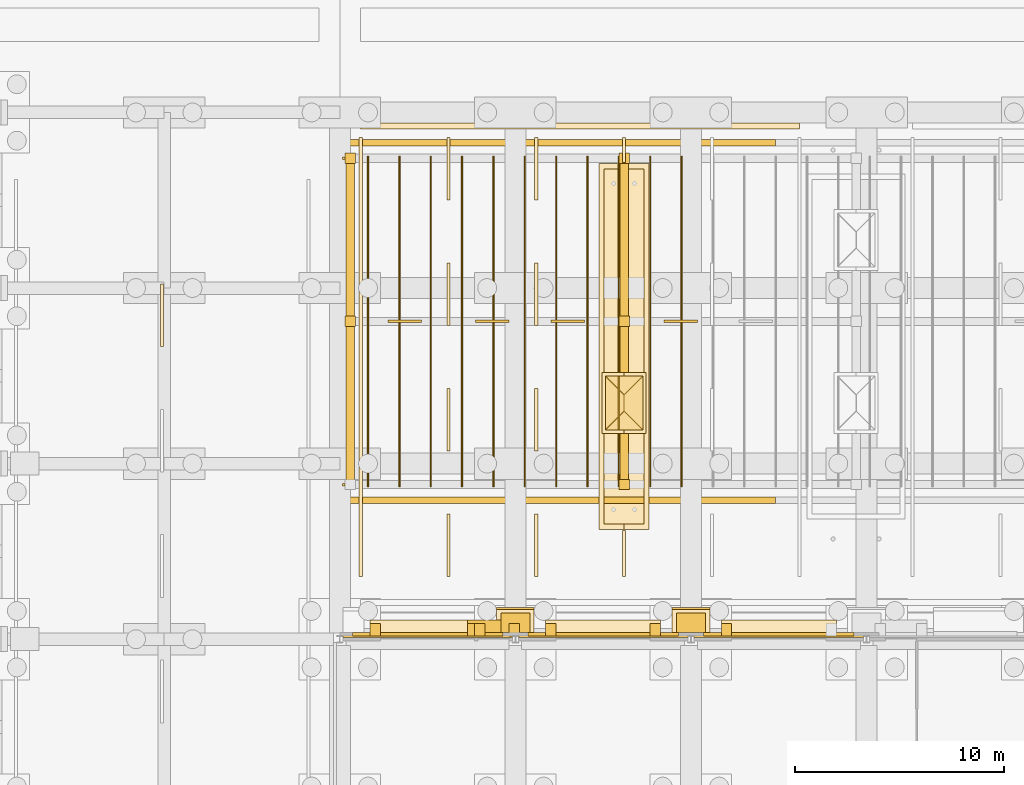
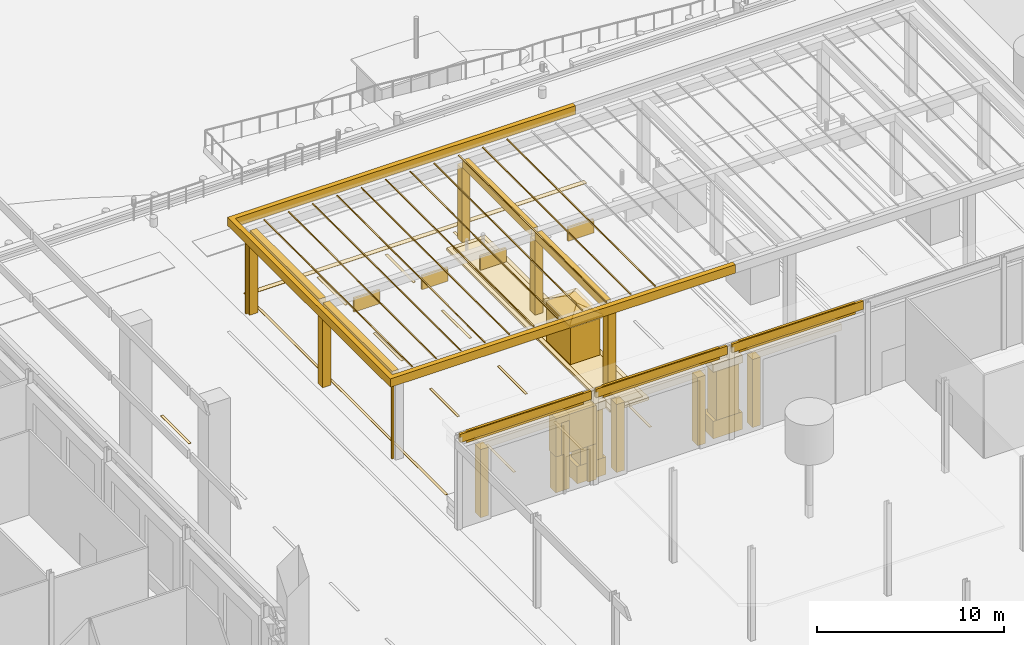
# One storey, part 168 of 222: 73 coverings.
"""IFC4 building model written with IfcOpenShell, lengths in metres."""

from ifc_helpers import new_model, si_unit, direction, frame, origin, origin_2d, place, context, subcontext, project, spatial, polyline, rectangle, outline, extrude, material, layer, layer_set, type_object, element, save


model = new_model("IFC4")

# Units and contexts
model_context = context("Model", 3, precision=1e-05, world=origin(), true_north=direction((0.0, 1.0)))
body_context = subcontext(model_context, "Body", "Model", "MODEL_VIEW")
ifc_project = project(units=[si_unit("LENGTHUNIT", "METRE"), si_unit("AREAUNIT", "SQUARE_METRE"), si_unit("VOLUMEUNIT", "CUBIC_METRE"), si_unit("PLANEANGLEUNIT", "RADIAN"), si_unit("MASSUNIT", "GRAM", prefix="KILO")], contexts=[model_context])

# Site, building, storey
site_placement = place(None, origin())
site = spatial("IfcSite", under=ifc_project, at=site_placement, CompositionType="ELEMENT")
building_placement = place(site_placement, origin())
building = spatial("IfcBuilding", under=site, at=building_placement, Name="Sava Quay Ferry Terminal", CompositionType="ELEMENT")
storey_placement = place(building_placement, origin())
storey = spatial("IfcBuildingStorey", under=building, at=storey_placement, Name="L00", CompositionType="ELEMENT", Elevation=0.0)

# Coverings
ifc_material_1 = material(Name="Steel S355", Category="steel")
ifc_layer_1 = layer(ifc_material_1, 0.39990234375)
ifc_layer_set_1 = layer_set([ifc_layer_1], Name="Steel S355")
covering_type_1 = type_object("IfcCoveringType", Name="Apron canopy beam 400x500", PredefinedType="CLADDING", material=ifc_layer_set_1)
covering_1_placement = place(storey_placement, frame((0.0, 0.0, 5.0)))
element("IfcCovering", 1, at=covering_1_placement, inside=storey, type_object=covering_type_1, Name="Apron canopy cross beam", PredefinedType="CLADDING", context=body_context, shape_type="SweptSolid", body=[
    extrude(outline(polyline([(126.699951171875, 91.60009765625), (126.699951171875, 99.0), (126.300048828125, 99.0), (126.300048828125, 91.60009765625), (126.699951171875, 91.60009765625)])), origin(), (0.0, 0.0, 1.0), 0.5),
])
covering_2_placement = place(storey_placement, frame((0.0, 0.0, 5.0)))
element("IfcCovering", 2, at=covering_2_placement, inside=storey, type_object=covering_type_1, Name="Apron canopy cross beam", PredefinedType="CLADDING", context=body_context, shape_type="SweptSolid", body=[
    extrude(outline(polyline([(126.699951171875, 99.39990234375), (126.699951171875, 106.800048828125), (126.300048828125, 106.800048828125), (126.300048828125, 99.39990234375), (126.699951171875, 99.39990234375)])), origin(), (0.0, 0.0, 1.0), 0.5),
])
covering_3_placement = place(storey_placement, frame((0.0, 0.0, 5.0)))
element("IfcCovering", 3, at=covering_3_placement, inside=storey, type_object=covering_type_1, Name="Apron canopy cross beam", PredefinedType="CLADDING", context=body_context, shape_type="SweptSolid", body=[
    extrude(outline(polyline([(139.800048828125, 91.60009765625), (139.800048828125, 99.0), (139.39990234375, 99.0), (139.39990234375, 91.60009765625), (139.800048828125, 91.60009765625)])), origin(), (0.0, 0.0, 1.0), 0.5),
])
covering_4_placement = place(storey_placement, frame((0.0, 0.0, 5.0)))
element("IfcCovering", 4, at=covering_4_placement, inside=storey, type_object=covering_type_1, Name="Apron canopy cross beam", PredefinedType="CLADDING", context=body_context, shape_type="SweptSolid", body=[
    extrude(outline(polyline([(139.800048828125, 99.39990234375), (139.800048828125, 106.800048828125), (139.39990234375, 106.800048828125), (139.39990234375, 99.39990234375), (139.800048828125, 99.39990234375)])), origin(), (0.0, 0.0, 1.0), 0.5),
])
ifc_material_2 = material(Name="Limestone Mutalj", Category="masonry")
ifc_layer_2 = layer(ifc_material_2, 0.300048828125)
ifc_layer_set_2 = layer_set([ifc_layer_2], Name="Limestone Mutalj")
covering_type_2 = type_object("IfcCoveringType", Name="Apron canopy fascia 300", PredefinedType="MOLDING", material=ifc_layer_set_2)
covering_5_placement = place(storey_placement, frame((0.0, 0.0, 5.39990234375)))
element("IfcCovering", 5, at=covering_5_placement, inside=storey, type_object=covering_type_2, Name="Apron canopy fascia", PredefinedType="MOLDING", context=body_context, shape_type="SweptSolid", body=[
    extrude(outline(polyline([(125.550048828125, 107.89990234375), (125.550048828125, 90.5), (146.85009765625, 90.5), (146.85009765625, 90.800048828125), (125.85009765625, 90.800048828125), (125.85009765625, 107.60009765625), (146.85009765625, 107.60009765625), (146.85009765625, 107.89990234375), (125.550048828125, 107.89990234375)])), origin(), (0.0, 0.0, 1.0), 0.550048828125),
])
ifc_material_3 = material(Name="Steel S355", Category="steel")
ifc_layer_3 = layer(ifc_material_3, 0.5)
ifc_layer_set_3 = layer_set([ifc_layer_3], Name="Steel S355")
covering_type_3 = type_object("IfcCoveringType", Name="Apron canopy post 500", PredefinedType="CLADDING", material=ifc_layer_set_3)
covering_6_placement = place(storey_placement, origin())
element("IfcCovering", 6, at=covering_6_placement, inside=storey, type_object=covering_type_3, Name="Apron canopy post", PredefinedType="CLADDING", context=body_context, shape_type="SweptSolid", body=[
    extrude(outline(polyline([(126.75, 98.949951171875), (126.75, 99.449951171875), (126.25, 99.449951171875), (126.25, 98.949951171875), (126.75, 98.949951171875)])), origin(), (0.0, 0.0, 1.0), 5.0),
])
covering_7_placement = place(storey_placement, origin())
element("IfcCovering", 7, at=covering_7_placement, inside=storey, type_object=covering_type_3, Name="Apron canopy post", PredefinedType="CLADDING", context=body_context, shape_type="SweptSolid", body=[
    extrude(outline(polyline([(126.75, 106.75), (126.75, 107.25), (126.25, 107.25), (126.25, 106.75), (126.75, 106.75)])), origin(), (0.0, 0.0, 1.0), 5.0),
])
covering_8_placement = place(storey_placement, frame((0.0, 0.0, 0.14990234375)))
element("IfcCovering", 8, at=covering_8_placement, inside=storey, type_object=covering_type_3, Name="Apron canopy post", PredefinedType="CLADDING", context=body_context, shape_type="SweptSolid", body=[
    extrude(outline(polyline([(139.85009765625, 91.14990234375), (139.85009765625, 91.64990234375), (139.35009765625, 91.64990234375), (139.35009765625, 91.14990234375), (139.85009765625, 91.14990234375)])), origin(), (0.0, 0.0, 1.0), 4.85009765625),
])
covering_9_placement = place(storey_placement, frame((0.0, 0.0, 0.14990234375)))
element("IfcCovering", 9, at=covering_9_placement, inside=storey, type_object=covering_type_3, Name="Apron canopy post", PredefinedType="CLADDING", context=body_context, shape_type="SweptSolid", body=[
    extrude(outline(polyline([(139.85009765625, 98.949951171875), (139.85009765625, 99.449951171875), (139.35009765625, 99.449951171875), (139.35009765625, 98.949951171875), (139.85009765625, 98.949951171875)])), origin(), (0.0, 0.0, 1.0), 4.85009765625),
])
covering_10_placement = place(storey_placement, frame((0.0, 0.0, 0.14990234375)))
element("IfcCovering", 10, at=covering_10_placement, inside=storey, type_object=covering_type_3, Name="Apron canopy post", PredefinedType="CLADDING", context=body_context, shape_type="SweptSolid", body=[
    extrude(outline(polyline([(139.85009765625, 106.75), (139.85009765625, 107.25), (139.35009765625, 107.25), (139.35009765625, 106.75), (139.85009765625, 106.75)])), origin(), (0.0, 0.0, 1.0), 4.85009765625),
])
ifc_material_4 = material(Name="Turf and topsoil")
ifc_layer_4 = layer(ifc_material_4, 0.14990234375)
ifc_layer_set_4 = layer_set([ifc_layer_4], Name="Turf and topsoil")
covering_type_4 = type_object("IfcCoveringType", Name="Apron island bed 150", PredefinedType="CLADDING", material=ifc_layer_set_4)
covering_11_placement = place(storey_placement, origin())
element("IfcCovering", 11, at=covering_11_placement, inside=storey, type_object=covering_type_4, Name="Apron island bed", PredefinedType="CLADDING", context=body_context, shape_type="SweptSolid", body=[
    extrude(outline(polyline([(140.550048828125, 89.5), (140.550048828125, 106.5), (138.64990234375, 106.5), (138.64990234375, 89.5), (140.550048828125, 89.5)])), origin(), (0.0, 0.0, 1.0), 0.14990234375),
])
ifc_material_5 = material(Name="Limestone Mutalj", Category="masonry")
ifc_layer_5 = layer(ifc_material_5, 0.25)
ifc_layer_set_5 = layer_set([ifc_layer_5], Name="Limestone Mutalj")
covering_type_5 = type_object("IfcCoveringType", Name="Apron island kerb 250", PredefinedType="CLADDING", material=ifc_layer_set_5)
covering_12_placement = place(storey_placement, origin())
element("IfcCovering", 12, at=covering_12_placement, inside=storey, type_object=covering_type_5, Name="Apron island kerb", PredefinedType="CLADDING", context=body_context, shape_type="SweptSolid", body=[
    extrude(outline(polyline([(138.39990234375, 106.75), (138.39990234375, 89.25), (139.60009765625, 89.25), (139.60009765625, 89.5), (138.64990234375, 89.5), (138.64990234375, 106.5), (139.60009765625, 106.5), (139.60009765625, 106.75), (138.39990234375, 106.75)])), origin(), (0.0, 0.0, 1.0), 0.14990234375),
])
covering_13_placement = place(storey_placement, origin())
element("IfcCovering", 13, at=covering_13_placement, inside=storey, type_object=covering_type_5, Name="Apron island kerb", PredefinedType="CLADDING", context=body_context, shape_type="SweptSolid", body=[
    extrude(outline(polyline([(140.800048828125, 106.75), (139.60009765625, 106.75), (139.60009765625, 106.5), (140.550048828125, 106.5), (140.550048828125, 89.5), (139.60009765625, 89.5), (139.60009765625, 89.25), (140.800048828125, 89.25), (140.800048828125, 106.75)])), origin(), (0.0, 0.0, 1.0), 0.14990234375),
])
ifc_material_6 = material(Name="Limestone Mutalj", Category="masonry")
ifc_layer_6 = layer(ifc_material_6, 1.10009765625)
ifc_layer_set_6 = layer_set([ifc_layer_6], Name="Limestone Mutalj")
covering_type_6 = type_object("IfcCoveringType", Name="Giant order capital 1100", PredefinedType="MOLDING", material=ifc_layer_set_6)
for number, where, z_axis, x_axis, name in (
    (14, (134.39990234375, 84.860107421875, 4.39990234375), (0.0, 0.0, 1.0), (1.0, 0.0, 0.0), "Giant order capital"),
    (15, (142.800048828125, 84.860107421875, 4.39990234375), (0.0, 0.0, 1.0), (1.0, 0.0, 0.0), "Giant order capital"),
):
    element("IfcCovering", number, at=place(storey_placement, frame(where, z_axis=z_axis, x_axis=x_axis)), inside=storey, type_object=covering_type_6, Name=name, PredefinedType="MOLDING", context=body_context, shape_type="SweptSolid", body=[
        extrude(rectangle(XDim=1.800048828125, YDim=1.10009765625, at=origin_2d()), origin(), (0.0, 0.0, 1.0), 0.5),
    ])
ifc_material_7 = material(Name="Red sandstone Vrsac", Category="masonry")
ifc_layer_7 = layer(ifc_material_7, 1.199951171875)
ifc_layer_set_7 = layer_set([ifc_layer_7], Name="Red sandstone Vrsac")
covering_type_7 = type_object("IfcCoveringType", Name="Giant order pier block 1200", PredefinedType="MOLDING", material=ifc_layer_set_7)
for number, where, z_axis, x_axis, name in (
    (16, (134.39990234375, 84.909912109375, 0.06005859375), (0.0, 0.0, 1.0), (1.0, 0.0, 0.0), "Giant order pier block"),
    (17, (142.800048828125, 84.909912109375, 0.06005859375), (0.0, 0.0, 1.0), (1.0, 0.0, 0.0), "Giant order pier block"),
):
    element("IfcCovering", number, at=place(storey_placement, frame(where, z_axis=z_axis, x_axis=x_axis)), inside=storey, type_object=covering_type_7, Name=name, PredefinedType="MOLDING", context=body_context, shape_type="SweptSolid", body=[
        extrude(rectangle(XDim=1.800048828125, YDim=1.199951171875, at=origin_2d()), origin(), (0.0, 0.0, 1.0), 1.139892578125),
    ])
ifc_material_8 = material(Name="Limestone Mutalj", Category="masonry")
ifc_layer_8 = layer(ifc_material_8, 0.949951171875)
ifc_layer_set_8 = layer_set([ifc_layer_8], Name="Limestone Mutalj")
covering_type_8 = type_object("IfcCoveringType", Name="Giant order pilaster 950", PredefinedType="CLADDING", material=ifc_layer_set_8)
for number, where, z_axis, x_axis, name in (
    (18, (134.39990234375, 84.784912109375, 1.2001953125), (0.0, 0.0, 1.0), (1.0, 0.0, 0.0), "Giant order pilaster"),
    (19, (142.800048828125, 84.784912109375, 1.2001953125), (0.0, 0.0, 1.0), (1.0, 0.0, 0.0), "Giant order pilaster"),
):
    element("IfcCovering", number, at=place(storey_placement, frame(where, z_axis=z_axis, x_axis=x_axis)), inside=storey, type_object=covering_type_8, Name=name, PredefinedType="CLADDING", context=body_context, shape_type="SweptSolid", body=[
        extrude(rectangle(XDim=1.39990234375, YDim=0.949951171875, at=origin_2d()), origin(), (0.0, 0.0, 1.0), 3.199951171875),
    ])
ifc_material_9 = material(Name="Steel S355", Category="steel")
ifc_layer_9 = layer(ifc_material_9, 0.1201171875)
ifc_layer_set_9 = layer_set([ifc_layer_9], Name="Steel S355")
covering_type_9 = type_object("IfcCoveringType", Name="Lane signal board 1600x900", PredefinedType="CLADDING", material=ifc_layer_set_9)
for number, where, z_axis, x_axis, name in (
    (20, (129.10009765625, 99.199951171875, 4.10009765625), (0.0, 0.0, 1.0), (1.0, 0.0, 0.0), "Lane signal board"),
    (21, (133.300048828125, 99.199951171875, 4.10009765625), (0.0, 0.0, 1.0), (1.0, 0.0, 0.0), "Lane signal board"),
    (22, (136.89990234375, 99.199951171875, 4.10009765625), (0.0, 0.0, 1.0), (1.0, 0.0, 0.0), "Lane signal board"),
    (23, (142.300048828125, 99.199951171875, 4.10009765625), (0.0, 0.0, 1.0), (1.0, 0.0, 0.0), "Lane signal board"),
):
    element("IfcCovering", number, at=place(storey_placement, frame(where, z_axis=z_axis, x_axis=x_axis)), inside=storey, type_object=covering_type_9, Name=name, PredefinedType="CLADDING", context=body_context, shape_type="SweptSolid", body=[
        extrude(rectangle(XDim=1.60009765625, YDim=0.1201171875, at=origin_2d()), origin(), (0.0, 0.0, 1.0), 0.89990234375),
    ])
ifc_material_10 = material(Name="Limestone Mutalj", Category="masonry")
ifc_layer_10 = layer(ifc_material_10, 0.14990234375)
ifc_layer_set_10 = layer_set([ifc_layer_10], Name="Limestone Mutalj")
covering_type_10 = type_object("IfcCoveringType", Name="Limestone string course 150", PredefinedType="CLADDING", material=ifc_layer_set_10)
covering_14_placement = place(storey_placement, frame((0.0, 0.0, 5.25)))
element("IfcCovering", 24, at=covering_14_placement, inside=storey, type_object=covering_type_10, Name="String course V-N", PredefinedType="CLADDING", context=body_context, shape_type="SweptSolid", body=[
    extrude(outline(polyline([(126.60009765625, 84.159912109375), (133.800048828125, 84.159912109375), (133.800048828125, 84.31005859375), (126.60009765625, 84.31005859375), (126.60009765625, 84.159912109375)])), origin(), (0.0, 0.0, 1.0), 0.75),
])
covering_15_placement = place(storey_placement, frame((0.0, 0.0, 5.25)))
element("IfcCovering", 25, at=covering_15_placement, inside=storey, type_object=covering_type_10, Name="String course V-N", PredefinedType="CLADDING", context=body_context, shape_type="SweptSolid", body=[
    extrude(outline(polyline([(135.0, 84.159912109375), (142.199951171875, 84.159912109375), (142.199951171875, 84.31005859375), (135.0, 84.31005859375), (135.0, 84.159912109375)])), origin(), (0.0, 0.0, 1.0), 0.75),
])
covering_16_placement = place(storey_placement, frame((0.0, 0.0, 5.25)))
element("IfcCovering", 26, at=covering_16_placement, inside=storey, type_object=covering_type_10, Name="String course V-N", PredefinedType="CLADDING", context=body_context, shape_type="SweptSolid", body=[
    extrude(outline(polyline([(143.39990234375, 84.159912109375), (150.60009765625, 84.159912109375), (150.60009765625, 84.31005859375), (143.39990234375, 84.31005859375), (143.39990234375, 84.159912109375)])), origin(), (0.0, 0.0, 1.0), 0.75),
])
ifc_material_11 = material(Name="Zinc standing seam")
ifc_layer_11 = layer(ifc_material_11, 0.1201171875)
ifc_layer_set_11 = layer_set([ifc_layer_11], Name="Zinc standing seam")
covering_type_11 = type_object("IfcCoveringType", Name="Rainwater pipe 120", PredefinedType="CLADDING", material=ifc_layer_set_11)
for number, where, z_axis, x_axis, name in (
    (27, (126.18994140625, 91.39990234375, 0.0), (0.0, 0.0, 1.0), (1.0, 0.0, 0.0), "Rainwater pipe"),
    (28, (126.18994140625, 107.0, 0.0), (0.0, 0.0, 1.0), (1.0, 0.0, 0.0), "Rainwater pipe"),
):
    element("IfcCovering", number, at=place(storey_placement, frame(where, z_axis=z_axis, x_axis=x_axis)), inside=storey, type_object=covering_type_11, Name=name, PredefinedType="CLADDING", context=body_context, shape_type="SweptSolid", body=[
        extrude(rectangle(XDim=0.1201171875, YDim=0.1201171875, at=origin_2d()), origin(), (0.0, 0.0, 1.0), 5.0),
    ])
ifc_material_12 = material(Name="Limestone Mutalj", Category="masonry")
ifc_layer_12 = layer(ifc_material_12, 0.60009765625)
ifc_layer_set_12 = layer_set([ifc_layer_12], Name="Limestone Mutalj")
covering_type_12 = type_object("IfcCoveringType", Name="Reveal jamb 600", PredefinedType="MOLDING", material=ifc_layer_set_12)
for number, where, z_axis, x_axis, name in (
    (29, (127.699951171875, 84.4599609375, 0.06005859375), (0.0, 0.0, 1.0), (1.0, 0.0, 0.0), "Reveal jamb"),
    (30, (132.699951171875, 84.4599609375, 0.06005859375), (0.0, 0.0, 1.0), (1.0, 0.0, 0.0), "Reveal jamb"),
):
    element("IfcCovering", number, at=place(storey_placement, frame(where, z_axis=z_axis, x_axis=x_axis)), inside=storey, type_object=covering_type_12, Name=name, PredefinedType="MOLDING", context=body_context, shape_type="SweptSolid", body=[
        extrude(rectangle(XDim=0.5, YDim=0.60009765625, at=origin_2d()), origin(), (0.0, 0.0, 1.0), 4.43994140625),
    ])
for number, where, z_axis, x_axis, name in (
    (31, (132.35009765625, 84.4599609375, 0.06005859375), (0.0, 0.0, 1.0), (1.0, 0.0, 0.0), "Reveal jamb"),
    (32, (134.35009765625, 84.4599609375, 0.06005859375), (0.0, 0.0, 1.0), (1.0, 0.0, 0.0), "Reveal jamb"),
):
    element("IfcCovering", number, at=place(storey_placement, frame(where, z_axis=z_axis, x_axis=x_axis)), inside=storey, type_object=covering_type_12, Name=name, PredefinedType="MOLDING", context=body_context, shape_type="SweptSolid", body=[
        extrude(rectangle(XDim=0.5, YDim=0.60009765625, at=origin_2d()), origin(), (0.0, 0.0, 1.0), 2.340087890625),
    ])
for number, where, z_axis, x_axis, name in (
    (33, (136.10009765625, 84.4599609375, 0.06005859375), (0.0, 0.0, 1.0), (1.0, 0.0, 0.0), "Reveal jamb"),
    (34, (141.10009765625, 84.4599609375, 0.06005859375), (0.0, 0.0, 1.0), (1.0, 0.0, 0.0), "Reveal jamb"),
    (35, (144.5, 84.4599609375, 0.06005859375), (0.0, 0.0, 1.0), (1.0, 0.0, 0.0), "Reveal jamb"),
):
    element("IfcCovering", number, at=place(storey_placement, frame(where, z_axis=z_axis, x_axis=x_axis)), inside=storey, type_object=covering_type_12, Name=name, PredefinedType="MOLDING", context=body_context, shape_type="SweptSolid", body=[
        extrude(rectangle(XDim=0.5, YDim=0.60009765625, at=origin_2d()), origin(), (0.0, 0.0, 1.0), 4.43994140625),
    ])
ifc_material_13 = material(Name="Limestone Mutalj", Category="masonry")
ifc_layer_13 = layer(ifc_material_13, 0.75)
ifc_layer_set_13 = layer_set([ifc_layer_13], Name="Limestone Mutalj")
covering_type_13 = type_object("IfcCoveringType", Name="Reveal lintel 750", PredefinedType="MOLDING", material=ifc_layer_set_13)
covering_17_placement = place(storey_placement, frame((130.199951171875, 84.534912109375, 4.5), z_axis=(0.0, 0.0, 1.0), x_axis=(1.0, 0.0, 0.0)))
element("IfcCovering", 36, at=covering_17_placement, inside=storey, type_object=covering_type_13, Name="Reveal lintel", PredefinedType="MOLDING", context=body_context, shape_type="SweptSolid", body=[
    extrude(rectangle(XDim=5.5, YDim=0.75, at=origin_2d()), origin(), (0.0, 0.0, 1.0), 0.39990234375),
])
covering_18_placement = place(storey_placement, frame((133.35009765625, 84.534912109375, 2.39990234375), z_axis=(0.0, 0.0, 1.0), x_axis=(1.0, 0.0, 0.0)))
element("IfcCovering", 37, at=covering_18_placement, inside=storey, type_object=covering_type_13, Name="Reveal lintel", PredefinedType="MOLDING", context=body_context, shape_type="SweptSolid", body=[
    extrude(rectangle(XDim=2.5, YDim=0.75, at=origin_2d()), origin(), (0.0, 0.0, 1.0), 2.5),
])
for number, where, z_axis, x_axis, name in (
    (38, (138.60009765625, 84.534912109375, 4.5), (0.0, 0.0, 1.0), (1.0, 0.0, 0.0), "Reveal lintel"),
    (39, (147.0, 84.534912109375, 4.5), (0.0, 0.0, 1.0), (1.0, 0.0, 0.0), "Reveal lintel"),
):
    element("IfcCovering", number, at=place(storey_placement, frame(where, z_axis=z_axis, x_axis=x_axis)), inside=storey, type_object=covering_type_13, Name=name, PredefinedType="MOLDING", context=body_context, shape_type="SweptSolid", body=[
        extrude(rectangle(XDim=5.5, YDim=0.75, at=origin_2d()), origin(), (0.0, 0.0, 1.0), 0.39990234375),
    ])
ifc_material_14 = material(Name="Road marking paint")
ifc_layer_14 = layer(ifc_material_14, 0.02001953125)
ifc_layer_set_14 = layer_set([ifc_layer_14], Name="Road marking paint")
covering_type_14 = type_object("IfcCoveringType", Name="Road marking line 150", PredefinedType="FLOORING", material=ifc_layer_set_14)
covering_19_placement = place(storey_placement, origin())
element("IfcCovering", 40, at=covering_19_placement, inside=storey, type_object=covering_type_14, Name="Road marking line", PredefinedType="FLOORING", context=body_context, shape_type="SweptSolid", body=[
    extrude(outline(polyline([(131.27490234375, 87.0), (131.27490234375, 90.0), (131.125, 90.0), (131.125, 87.0), (131.27490234375, 87.0)])), origin(), (0.0, 0.0, 1.0), 0.02001953125),
])
covering_20_placement = place(storey_placement, origin())
element("IfcCovering", 41, at=covering_20_placement, inside=storey, type_object=covering_type_14, Name="Road marking line", PredefinedType="FLOORING", context=body_context, shape_type="SweptSolid", body=[
    extrude(outline(polyline([(135.324951171875, 87.0), (135.47509765625, 87.0), (135.47509765625, 90.0), (135.324951171875, 90.0), (135.324951171875, 87.0)])), origin(), (0.0, 0.0, 1.0), 0.02001953125),
])
covering_21_placement = place(storey_placement, origin())
element("IfcCovering", 42, at=covering_21_placement, inside=storey, type_object=covering_type_14, Name="Road marking line", PredefinedType="FLOORING", context=body_context, shape_type="SweptSolid", body=[
    extrude(outline(polyline([(131.125, 93.0), (131.27490234375, 93.0), (131.27490234375, 96.0), (131.125, 96.0), (131.125, 93.0)])), origin(), (0.0, 0.0, 1.0), 0.02001953125),
])
covering_22_placement = place(storey_placement, origin())
element("IfcCovering", 43, at=covering_22_placement, inside=storey, type_object=covering_type_14, Name="Road marking line", PredefinedType="FLOORING", context=body_context, shape_type="SweptSolid", body=[
    extrude(outline(polyline([(135.324951171875, 93.0), (135.47509765625, 93.0), (135.47509765625, 96.0), (135.324951171875, 96.0), (135.324951171875, 93.0)])), origin(), (0.0, 0.0, 1.0), 0.02001953125),
])
covering_23_placement = place(storey_placement, origin())
element("IfcCovering", 44, at=covering_23_placement, inside=storey, type_object=covering_type_14, Name="Road marking line", PredefinedType="FLOORING", context=body_context, shape_type="SweptSolid", body=[
    extrude(outline(polyline([(127.074951171875, 108.0), (126.925048828125, 108.0), (126.925048828125, 87.0), (127.074951171875, 87.0), (127.074951171875, 108.0)])), origin(), (0.0, 0.0, 1.0), 0.02001953125),
])
covering_24_placement = place(storey_placement, origin())
element("IfcCovering", 45, at=covering_24_placement, inside=storey, type_object=covering_type_14, Name="Road marking line", PredefinedType="FLOORING", context=body_context, shape_type="SweptSolid", body=[
    extrude(outline(polyline([(131.27490234375, 99.0), (131.27490234375, 102.0), (131.125, 102.0), (131.125, 99.0), (131.27490234375, 99.0)])), origin(), (0.0, 0.0, 1.0), 0.02001953125),
])
covering_25_placement = place(storey_placement, origin())
element("IfcCovering", 46, at=covering_25_placement, inside=storey, type_object=covering_type_14, Name="Road marking line", PredefinedType="FLOORING", context=body_context, shape_type="SweptSolid", body=[
    extrude(outline(polyline([(135.324951171875, 99.0), (135.47509765625, 99.0), (135.47509765625, 102.0), (135.324951171875, 102.0), (135.324951171875, 99.0)])), origin(), (0.0, 0.0, 1.0), 0.02001953125),
])
covering_26_placement = place(storey_placement, origin())
element("IfcCovering", 47, at=covering_26_placement, inside=storey, type_object=covering_type_14, Name="Road marking line", PredefinedType="FLOORING", context=body_context, shape_type="SweptSolid", body=[
    extrude(outline(polyline([(131.125, 105.0), (131.27490234375, 105.0), (131.27490234375, 108.0), (131.125, 108.0), (131.125, 105.0)])), origin(), (0.0, 0.0, 1.0), 0.02001953125),
])
covering_27_placement = place(storey_placement, origin())
element("IfcCovering", 48, at=covering_27_placement, inside=storey, type_object=covering_type_14, Name="Road marking line", PredefinedType="FLOORING", context=body_context, shape_type="SweptSolid", body=[
    extrude(outline(polyline([(135.324951171875, 105.0), (135.47509765625, 105.0), (135.47509765625, 108.0), (135.324951171875, 108.0), (135.324951171875, 105.0)])), origin(), (0.0, 0.0, 1.0), 0.02001953125),
])
covering_28_placement = place(storey_placement, origin())
element("IfcCovering", 49, at=covering_28_placement, inside=storey, type_object=covering_type_14, Name="Road marking line", PredefinedType="FLOORING", context=body_context, shape_type="SweptSolid", body=[
    extrude(outline(polyline([(117.425048828125, 98.0), (117.574951171875, 98.0), (117.574951171875, 101.0), (117.425048828125, 101.0), (117.425048828125, 98.0)])), origin(), (0.0, 0.0, 1.0), 0.02001953125),
])
covering_29_placement = place(storey_placement, origin())
element("IfcCovering", 50, at=covering_29_placement, inside=storey, type_object=covering_type_14, Name="Road marking line", PredefinedType="FLOORING", context=body_context, shape_type="SweptSolid", body=[
    extrude(outline(polyline([(139.52490234375, 89.199951171875), (139.52490234375, 87.0), (139.675048828125, 87.0), (139.675048828125, 89.199951171875), (139.52490234375, 89.199951171875)])), origin(), (0.0, 0.0, 1.0), 0.02001953125),
])
covering_30_placement = place(storey_placement, origin())
element("IfcCovering", 51, at=covering_30_placement, inside=storey, type_object=covering_type_14, Name="Road marking line", PredefinedType="FLOORING", context=body_context, shape_type="SweptSolid", body=[
    extrude(outline(polyline([(139.52490234375, 108.0), (139.52490234375, 106.800048828125), (139.675048828125, 106.800048828125), (139.675048828125, 108.0), (139.52490234375, 108.0)])), origin(), (0.0, 0.0, 1.0), 0.02001953125),
])
ifc_material_15 = material(Name="Zinc standing seam")
ifc_layer_15 = layer(ifc_material_15, 0.0400390625)
ifc_layer_set_15 = layer_set([ifc_layer_15], Name="Zinc standing seam")
covering_type_15 = type_object("IfcCoveringType", Name="Roof seam rib 60", PredefinedType="ROOFING", material=ifc_layer_set_15)
for number, where, z_axis, x_axis, name in (
    (52, (127.320068359375, 91.300048828125, 5.659912109375), (0.0, 0.0, 1.0), (0.0, 1.0, 0.0), "Roof seam rib"),
    (53, (128.820068359375, 91.300048828125, 5.659912109375), (0.0, 0.0, 1.0), (0.0, 1.0, 0.0), "Roof seam rib"),
    (54, (130.320068359375, 91.300048828125, 5.659912109375), (0.0, 0.0, 1.0), (0.0, 1.0, 0.0), "Roof seam rib"),
    (55, (131.820068359375, 91.300048828125, 5.659912109375), (0.0, 0.0, 1.0), (0.0, 1.0, 0.0), "Roof seam rib"),
    (56, (133.320068359375, 91.300048828125, 5.659912109375), (0.0, 0.0, 1.0), (0.0, 1.0, 0.0), "Roof seam rib"),
    (57, (134.820068359375, 91.300048828125, 5.659912109375), (0.0, 0.0, 1.0), (0.0, 1.0, 0.0), "Roof seam rib"),
    (58, (136.320068359375, 91.300048828125, 5.659912109375), (0.0, 0.0, 1.0), (0.0, 1.0, 0.0), "Roof seam rib"),
    (59, (137.820068359375, 91.300048828125, 5.659912109375), (0.0, 0.0, 1.0), (0.0, 1.0, 0.0), "Roof seam rib"),
    (60, (139.320068359375, 91.300048828125, 5.659912109375), (0.0, 0.0, 1.0), (0.0, 1.0, 0.0), "Roof seam rib"),
    (61, (140.820068359375, 91.300048828125, 5.659912109375), (0.0, 0.0, 1.0), (0.0, 1.0, 0.0), "Roof seam rib"),
    (62, (142.320068359375, 91.300048828125, 5.659912109375), (0.0, 0.0, 1.0), (0.0, 1.0, 0.0), "Roof seam rib"),
):
    element("IfcCovering", number, at=place(storey_placement, frame(where, z_axis=z_axis, x_axis=x_axis)), inside=storey, type_object=covering_type_15, Name=name, PredefinedType="ROOFING", context=body_context, shape_type="SweptSolid", body=[
        extrude(outline(polyline([(0.0, 0.0), (15.800048828125, 0.0), (15.800048828125, -0.059814453125), (0.0, -0.059814453125), (0.0, 0.0)])), origin(), (0.0, 0.0, -1.0), 0.0400390625),
    ])
ifc_material_16 = material(Name="Limestone Mutalj", Category="masonry")
ifc_layer_16 = layer(ifc_material_16, 0.14990234375)
ifc_layer_set_16 = layer_set([ifc_layer_16], Name="Limestone Mutalj")
covering_type_16 = type_object("IfcCoveringType", Name="Slab edge fascia 150", PredefinedType="CLADDING", material=ifc_layer_set_16)
covering_31_placement = place(storey_placement, frame((0.0, 0.0, 5.449951171875)))
element("IfcCovering", 63, at=covering_31_placement, inside=storey, type_object=covering_type_16, Name="Slab edge fascia", PredefinedType="CLADDING", context=body_context, shape_type="SweptSolid", body=[
    extrude(outline(polyline([(126.14990234375, 84.238037109375), (126.14990234375, 84.087890625), (134.25, 84.087890625), (134.25, 84.238037109375), (126.14990234375, 84.238037109375)])), origin(), (0.0, 0.0, 1.0), 0.550048828125),
])
covering_32_placement = place(storey_placement, frame((0.0, 0.0, 5.449951171875)))
element("IfcCovering", 64, at=covering_32_placement, inside=storey, type_object=covering_type_16, Name="Slab edge fascia", PredefinedType="CLADDING", context=body_context, shape_type="SweptSolid", body=[
    extrude(outline(polyline([(134.550048828125, 84.238037109375), (134.550048828125, 84.087890625), (142.64990234375, 84.087890625), (142.64990234375, 84.238037109375), (134.550048828125, 84.238037109375)])), origin(), (0.0, 0.0, 1.0), 0.550048828125),
])
covering_33_placement = place(storey_placement, frame((0.0, 0.0, 5.449951171875)))
element("IfcCovering", 65, at=covering_33_placement, inside=storey, type_object=covering_type_16, Name="Slab edge fascia", PredefinedType="CLADDING", context=body_context, shape_type="SweptSolid", body=[
    extrude(outline(polyline([(142.949951171875, 84.238037109375), (142.949951171875, 84.087890625), (151.050048828125, 84.087890625), (151.050048828125, 84.238037109375), (142.949951171875, 84.238037109375)])), origin(), (0.0, 0.0, 1.0), 0.550048828125),
])
ifc_material_17 = material(Name="Road marking paint")
ifc_layer_17 = layer(ifc_material_17, 0.02001953125)
ifc_layer_set_17 = layer_set([ifc_layer_17], Name="Road marking paint")
covering_type_17 = type_object("IfcCoveringType", Name="Stop line 300", PredefinedType="FLOORING", material=ifc_layer_set_17)
covering_34_placement = place(storey_placement, origin())
element("IfcCovering", 66, at=covering_34_placement, inside=storey, type_object=covering_type_17, Name="Stop line", PredefinedType="FLOORING", context=body_context, shape_type="SweptSolid", body=[
    extrude(outline(polyline([(127.0, 108.699951171875), (127.0, 108.39990234375), (148.0, 108.39990234375), (148.0, 108.699951171875), (127.0, 108.699951171875)])), origin(), (0.0, 0.0, 1.0), 0.02001953125),
])
ifc_material_18 = material(Name="Limestone Mutalj", Category="masonry")
ifc_layer_18 = layer(ifc_material_18, 1.800048828125)
ifc_layer_set_18 = layer_set([ifc_layer_18], Name="Limestone Mutalj")
covering_type_18 = type_object("IfcCoveringType", Name="Ticket booth body 1800x2600", PredefinedType="CLADDING", material=ifc_layer_set_18)
covering_35_placement = place(storey_placement, frame((0.0, 0.0, 0.14990234375)))
element("IfcCovering", 67, at=covering_35_placement, inside=storey, type_object=covering_type_18, Name="Ticket booth body", PredefinedType="CLADDING", context=body_context, shape_type="SweptSolid", body=[
    extrude(outline(polyline([(140.5, 94.0), (140.5, 96.60009765625), (138.699951171875, 96.60009765625), (138.699951171875, 94.0), (140.5, 94.0)])), origin(), (0.0, 0.0, 1.0), 2.60009765625),
])
ifc_material_19 = material(Name="Zinc standing seam")
ifc_layer_19 = layer(ifc_material_19, 0.080078125)
ifc_layer_set_19 = layer_set([ifc_layer_19], Name="Zinc standing seam")
covering_type_19 = type_object("IfcCoveringType", Name="Ticket booth hip roof panel 80", PredefinedType="ROOFING", material=ifc_layer_set_19)
covering_36_placement = place(storey_placement, frame((138.55712890625, 93.85009765625, 2.822265625), z_axis=(0.0, -0.429998779525, 0.90282946873), x_axis=(1.0, 0.0, 0.0)))
element("IfcCovering", 68, at=covering_36_placement, inside=storey, type_object=covering_type_19, Name="Ticket booth hip roof panel", PredefinedType="ROOFING", context=body_context, shape_type="SweptSolid", body=[
    extrude(outline(polyline([(0.0, 0.0), (2.085693359375, 0.0), (1.035888671875, 1.1627939980482238), (1.050048828125, 1.1627939980482238), (0.0, 0.0)])), origin(), (0.0, 0.0, -1.0), 0.080078125),
])
covering_37_placement = place(storey_placement, frame((140.642822265625, 96.75, 2.822265625), z_axis=(0.0, 0.429917283348, 0.902868279141), x_axis=(-1.0, 0.0, 0.0)))
element("IfcCovering", 69, at=covering_37_placement, inside=storey, type_object=covering_type_19, Name="Ticket booth hip roof panel", PredefinedType="ROOFING", context=body_context, shape_type="SweptSolid", body=[
    extrude(outline(polyline([(0.0, 0.0), (2.085693359375, 0.0), (1.03564453125, 1.1630144201370358), (1.0498046875, 1.1630144201370358), (0.0, 0.0)])), origin(), (0.0, 0.0, -1.0), 0.080078125),
])
covering_38_placement = place(storey_placement, frame((138.550048828125, 96.742919921875, 2.822265625), z_axis=(-0.429884356085, 0.0, 0.902883957324), x_axis=(0.0, -1.0, 0.0)))
element("IfcCovering", 70, at=covering_38_placement, inside=storey, type_object=covering_type_19, Name="Ticket booth hip roof panel", PredefinedType="ROOFING", context=body_context, shape_type="SweptSolid", body=[
    extrude(outline(polyline([(0.0, 0.0), (2.8857421875, 0.0), (1.843017578125, 1.1551525991127485), (1.04296875, 1.1551525991127485), (0.0, 0.0)])), origin(), (0.0, 0.0, -1.0), 0.080078125),
])
covering_39_placement = place(storey_placement, frame((140.64990234375, 93.857177734375, 2.822265625), z_axis=(0.42996640215, 0.0, 0.902844888684), x_axis=(0.0, 1.0, 0.0)))
element("IfcCovering", 71, at=covering_39_placement, inside=storey, type_object=covering_type_19, Name="Ticket booth hip roof panel", PredefinedType="ROOFING", context=body_context, shape_type="SweptSolid", body=[
    extrude(outline(polyline([(0.0, 0.0), (2.8857421875, 0.0), (1.8427734375, 1.1549321732277713), (1.042724609375, 1.1549321732277713), (0.0, 0.0)])), origin(), (0.0, 0.0, -1.0), 0.080078125),
])
ifc_material_20 = material(Name="Limestone Mutalj", Category="masonry")
ifc_layer_20 = layer(ifc_material_20, 0.1201171875)
ifc_layer_set_20 = layer_set([ifc_layer_20], Name="Limestone Mutalj")
covering_type_20 = type_object("IfcCoveringType", Name="Ticket booth ledge 2200", PredefinedType="MOLDING", material=ifc_layer_set_20)
covering_40_placement = place(storey_placement, frame((0.0, 0.0, 2.6298828125)))
element("IfcCovering", 72, at=covering_40_placement, inside=storey, type_object=covering_type_20, Name="Ticket booth ledge", PredefinedType="MOLDING", context=body_context, shape_type="SweptSolid", body=[
    extrude(outline(polyline([(138.550048828125, 96.75), (138.550048828125, 93.85009765625), (139.60009765625, 93.85009765625), (139.60009765625, 94.0), (138.699951171875, 94.0), (138.699951171875, 96.60009765625), (139.60009765625, 96.60009765625), (139.60009765625, 96.75), (138.550048828125, 96.75)])), origin(), (0.0, 0.0, 1.0), 0.1201171875),
])
covering_41_placement = place(storey_placement, frame((0.0, 0.0, 2.6298828125)))
element("IfcCovering", 73, at=covering_41_placement, inside=storey, type_object=covering_type_20, Name="Ticket booth ledge", PredefinedType="MOLDING", context=body_context, shape_type="SweptSolid", body=[
    extrude(outline(polyline([(140.64990234375, 96.75), (139.60009765625, 96.75), (139.60009765625, 96.60009765625), (140.5, 96.60009765625), (140.5, 94.0), (139.60009765625, 94.0), (139.60009765625, 93.85009765625), (140.64990234375, 93.85009765625), (140.64990234375, 96.75)])), origin(), (0.0, 0.0, 1.0), 0.1201171875),
])

save(model, "model.ifc")
